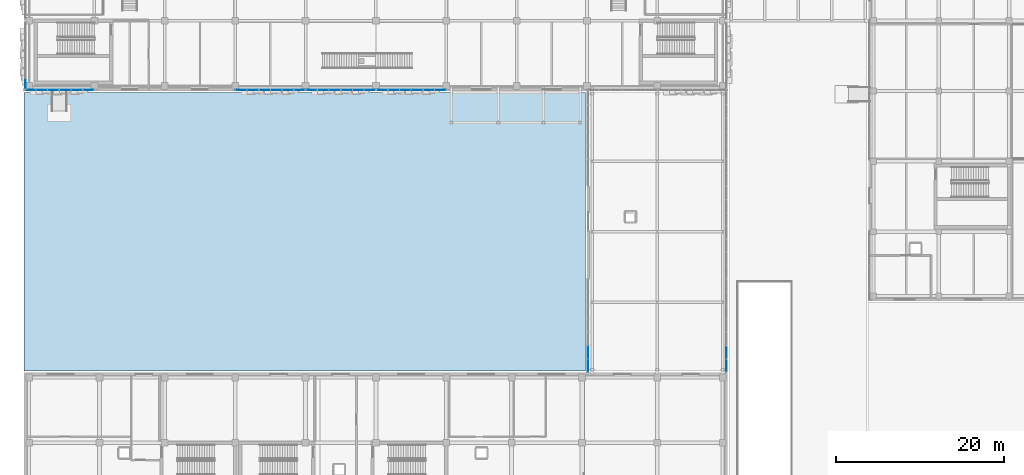
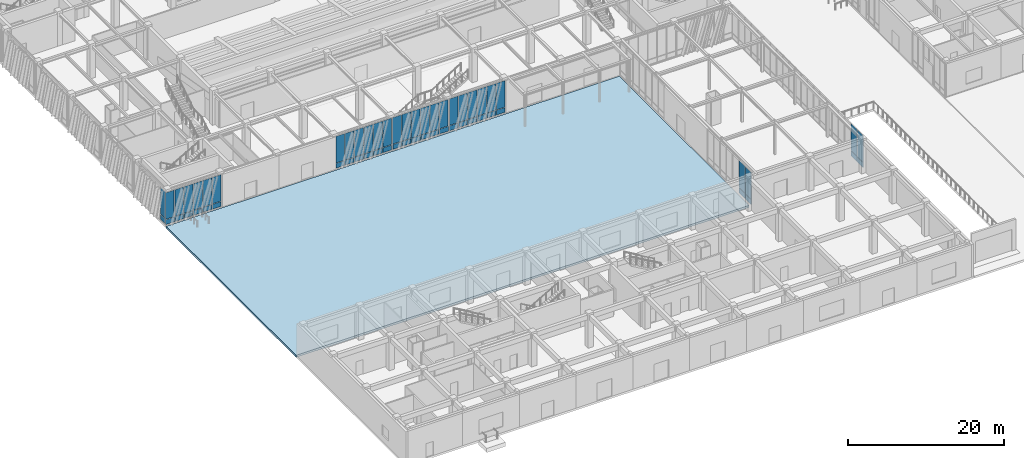
# One storey, part 78 of 122: 58 plates, 1 slab, 7 elements without a shape of their own.
"""IFC4 building model written with IfcOpenShell, lengths in metres."""

from ifc_helpers import new_model, si_unit, direction, frame, origin, origin_2d, place, context, subcontext, project, spatial, polyline, rectangle, outline, extrude, material, layer, layer_set, type_object, element, aggregate, save


model = new_model("IFC4")

# Units and contexts
model_context = context("Model", 3, precision=1e-05, world=origin(), true_north=direction((0.0, 1.0)))
body_context = subcontext(model_context, "Body", "Model", "MODEL_VIEW")
ifc_project = project(units=[si_unit("LENGTHUNIT", "METRE"), si_unit("AREAUNIT", "SQUARE_METRE"), si_unit("VOLUMEUNIT", "CUBIC_METRE"), si_unit("PLANEANGLEUNIT", "RADIAN"), si_unit("MASSUNIT", "GRAM", prefix="KILO")], contexts=[model_context])

# Site, building, storey
site_placement = place(None, origin())
site = spatial("IfcSite", under=ifc_project, at=site_placement, CompositionType="ELEMENT")
building_placement = place(site_placement, origin())
building = spatial("IfcBuilding", under=site, at=building_placement, Name="Zayran Congress Hotel", CompositionType="ELEMENT")
storey_placement = place(building_placement, origin())
storey = spatial("IfcBuildingStorey", under=building, at=storey_placement, Name="L00", CompositionType="ELEMENT", Elevation=0.0)

# Slab
ifc_material_1 = material(Name="Concrete C32/40", Category="concrete")
ifc_layer_1 = layer(ifc_material_1, 0.320068359375)
ifc_layer_set_1 = layer_set([ifc_layer_1], Name="Concrete C32/40")
slab_type = type_object("IfcSlabType", Name="SL-PD-320", PredefinedType="FLOOR", material=ifc_layer_set_1)
slab_placement = place(storey_placement, frame((0.0, 0.0, -0.320068359375)))
element("IfcSlab", 1, at=slab_placement, inside=storey, type_object=slab_type, Name="Outdoor Central Forecourt Grade Paving Slab", PredefinedType="BASESLAB", context=body_context, shape_type="SweptSolid", body=[
    extrude(outline(polyline([(8.39990234375, 34.14990234375), (75.449951171875, 34.14990234375), (75.449951171875, 67.449951171875), (8.39990234375, 67.449951171875), (8.39990234375, 34.14990234375)])), origin(), (0.0, 0.0, 1.0), 0.320068359375),
])

# Curtain wall, plates
ifc_material_2 = material(Name="Anodised aluminium and low-E insulated glass", Category="aluminium")
ifc_layer_2 = layer(ifc_material_2, 0.179931640625)
ifc_layer_set_2 = layer_set([ifc_layer_2], Name="Anodised aluminium and low-E insulated glass")
curtain_wall_type_1 = type_object("IfcCurtainWallType", Name="CW-V1S-L00-CW-11-8380-5080", PredefinedType="USERDEFINED", material=ifc_layer_set_2)
curtain_wall_1_placement = place(storey_placement, origin())
curtain_wall_1 = element("IfcCurtainWall", 2, at=curtain_wall_1_placement, inside=storey, type_object=curtain_wall_type_1, Name="CW-V1S-L00-0", ObjectType="CURTAIN WALL", PredefinedType="USERDEFINED")
ifc_layer_3 = layer(ifc_material_2, 0.028076171875)
ifc_layer_set_3 = layer_set([ifc_layer_3], Name="Anodised aluminium and low-E insulated glass")
plate_type_1 = type_object("IfcPlateType", Name="CWP-GL-1277-4150", PredefinedType="CURTAIN_PANEL", material=ifc_layer_set_3)
plate_1_placement = place(storey_placement, frame((9.12841796875, 67.75, 0.8701171875), z_axis=(0.0, 0.0, 1.0), x_axis=(1.0, 0.0, 0.0)))
plate_1 = element("IfcPlate", 3, at=plate_1_placement, type_object=plate_type_1, Name="CW-11 Glazed Panel 1", PredefinedType="CURTAIN_PANEL", context=body_context, shape_type="SweptSolid", body=[
    extrude(rectangle(XDim=1.276611328125, YDim=0.028076171875, at=origin_2d()), origin(), (0.0, 0.0, 1.0), 4.14990234375),
])
plate_2_placement = place(storey_placement, frame((10.5048828125, 67.75, 0.8701171875), z_axis=(0.0, 0.0, 1.0), x_axis=(1.0, 0.0, 0.0)))
plate_2 = element("IfcPlate", 4, at=plate_2_placement, type_object=plate_type_1, Name="CW-11 Glazed Panel 2", PredefinedType="CURTAIN_PANEL", context=body_context, shape_type="SweptSolid", body=[
    extrude(rectangle(XDim=1.316650390625, YDim=0.028076171875, at=origin_2d()), origin(), (0.0, 0.0, 1.0), 4.14990234375),
])
plate_3_placement = place(storey_placement, frame((11.901611328125, 67.75, 0.8701171875), z_axis=(0.0, 0.0, 1.0), x_axis=(1.0, 0.0, 0.0)))
plate_3 = element("IfcPlate", 5, at=plate_3_placement, type_object=plate_type_1, Name="CW-11 Glazed Panel 3", PredefinedType="CURTAIN_PANEL", context=body_context, shape_type="SweptSolid", body=[
    extrude(rectangle(XDim=1.316650390625, YDim=0.028076171875, at=origin_2d()), origin(), (0.0, 0.0, 1.0), 4.14990234375),
])
plate_4_placement = place(storey_placement, frame((13.29833984375, 67.75, 0.8701171875), z_axis=(0.0, 0.0, 1.0), x_axis=(1.0, 0.0, 0.0)))
plate_4 = element("IfcPlate", 6, at=plate_4_placement, type_object=plate_type_1, Name="CW-11 Glazed Panel 4", PredefinedType="CURTAIN_PANEL", context=body_context, shape_type="SweptSolid", body=[
    extrude(rectangle(XDim=1.316650390625, YDim=0.028076171875, at=origin_2d()), origin(), (0.0, 0.0, 1.0), 4.14990234375),
])
plate_5_placement = place(storey_placement, frame((14.695068359375, 67.75, 0.8701171875), z_axis=(0.0, 0.0, 1.0), x_axis=(1.0, 0.0, 0.0)))
plate_5 = element("IfcPlate", 7, at=plate_5_placement, type_object=plate_type_1, Name="CW-11 Glazed Panel 5", PredefinedType="CURTAIN_PANEL", context=body_context, shape_type="SweptSolid", body=[
    extrude(rectangle(XDim=1.316650390625, YDim=0.028076171875, at=origin_2d()), origin(), (0.0, 0.0, 1.0), 4.14990234375),
])
plate_6_placement = place(storey_placement, frame((16.07177734375, 67.75, 0.8701171875), z_axis=(0.0, 0.0, 1.0), x_axis=(1.0, 0.0, 0.0)))
plate_6 = element("IfcPlate", 8, at=plate_6_placement, type_object=plate_type_1, Name="CW-11 Glazed Panel 6", PredefinedType="CURTAIN_PANEL", context=body_context, shape_type="SweptSolid", body=[
    extrude(rectangle(XDim=1.276611328125, YDim=0.028076171875, at=origin_2d()), origin(), (0.0, 0.0, 1.0), 4.14990234375),
])

curtain_wall_2_placement = place(storey_placement, origin())
curtain_wall_2 = element("IfcCurtainWall", 9, at=curtain_wall_2_placement, inside=storey, type_object=curtain_wall_type_1, Name="CW-V1S-L00-3", ObjectType="CURTAIN WALL", PredefinedType="USERDEFINED")
plate_7_placement = place(storey_placement, frame((34.328369140625, 67.75, 0.8701171875), z_axis=(0.0, 0.0, 1.0), x_axis=(1.0, 0.0, 0.0)))
plate_7 = element("IfcPlate", 10, at=plate_7_placement, type_object=plate_type_1, Name="CW-11 Glazed Panel 1", PredefinedType="CURTAIN_PANEL", context=body_context, shape_type="SweptSolid", body=[
    extrude(rectangle(XDim=1.276611328125, YDim=0.028076171875, at=origin_2d()), origin(), (0.0, 0.0, 1.0), 4.14990234375),
])
plate_8_placement = place(storey_placement, frame((35.705078125, 67.75, 0.8701171875), z_axis=(0.0, 0.0, 1.0), x_axis=(1.0, 0.0, 0.0)))
plate_8 = element("IfcPlate", 11, at=plate_8_placement, type_object=plate_type_1, Name="CW-11 Glazed Panel 2", PredefinedType="CURTAIN_PANEL", context=body_context, shape_type="SweptSolid", body=[
    extrude(rectangle(XDim=1.316650390625, YDim=0.028076171875, at=origin_2d()), origin(), (0.0, 0.0, 1.0), 4.14990234375),
])
plate_9_placement = place(storey_placement, frame((37.101806640625, 67.75, 0.8701171875), z_axis=(0.0, 0.0, 1.0), x_axis=(1.0, 0.0, 0.0)))
plate_9 = element("IfcPlate", 12, at=plate_9_placement, type_object=plate_type_1, Name="CW-11 Glazed Panel 3", PredefinedType="CURTAIN_PANEL", context=body_context, shape_type="SweptSolid", body=[
    extrude(rectangle(XDim=1.316650390625, YDim=0.028076171875, at=origin_2d()), origin(), (0.0, 0.0, 1.0), 4.14990234375),
])
plate_10_placement = place(storey_placement, frame((38.498291015625, 67.75, 0.8701171875), z_axis=(0.0, 0.0, 1.0), x_axis=(1.0, 0.0, 0.0)))
plate_10 = element("IfcPlate", 13, at=plate_10_placement, type_object=plate_type_1, Name="CW-11 Glazed Panel 4", PredefinedType="CURTAIN_PANEL", context=body_context, shape_type="SweptSolid", body=[
    extrude(rectangle(XDim=1.316650390625, YDim=0.028076171875, at=origin_2d()), origin(), (0.0, 0.0, 1.0), 4.14990234375),
])
plate_11_placement = place(storey_placement, frame((39.89501953125, 67.75, 0.8701171875), z_axis=(0.0, 0.0, 1.0), x_axis=(1.0, 0.0, 0.0)))
plate_11 = element("IfcPlate", 14, at=plate_11_placement, type_object=plate_type_1, Name="CW-11 Glazed Panel 5", PredefinedType="CURTAIN_PANEL", context=body_context, shape_type="SweptSolid", body=[
    extrude(rectangle(XDim=1.316650390625, YDim=0.028076171875, at=origin_2d()), origin(), (0.0, 0.0, 1.0), 4.14990234375),
])
plate_12_placement = place(storey_placement, frame((41.271728515625, 67.75, 0.8701171875), z_axis=(0.0, 0.0, 1.0), x_axis=(1.0, 0.0, 0.0)))
plate_12 = element("IfcPlate", 15, at=plate_12_placement, type_object=plate_type_1, Name="CW-11 Glazed Panel 6", PredefinedType="CURTAIN_PANEL", context=body_context, shape_type="SweptSolid", body=[
    extrude(rectangle(XDim=1.276611328125, YDim=0.028076171875, at=origin_2d()), origin(), (0.0, 0.0, 1.0), 4.14990234375),
])

ifc_layer_4 = layer(ifc_material_2, 0.179931640625)
ifc_layer_set_4 = layer_set([ifc_layer_4], Name="Anodised aluminium and low-E insulated glass")
curtain_wall_type_2 = type_object("IfcCurtainWallType", Name="CW-V1S-L00-CW-12-8380-5080", PredefinedType="USERDEFINED", material=ifc_layer_set_4)
curtain_wall_3_placement = place(storey_placement, origin())
curtain_wall_3 = element("IfcCurtainWall", 16, at=curtain_wall_3_placement, inside=storey, type_object=curtain_wall_type_2, Name="CW-V1S-L00-4", ObjectType="CURTAIN WALL", PredefinedType="USERDEFINED")
plate_13_placement = place(storey_placement, frame((42.728271484375, 67.75, 0.8701171875), z_axis=(0.0, 0.0, 1.0), x_axis=(1.0, 0.0, 0.0)))
plate_13 = element("IfcPlate", 17, at=plate_13_placement, type_object=plate_type_1, Name="CW-12 Glazed Panel 1", PredefinedType="CURTAIN_PANEL", context=body_context, shape_type="SweptSolid", body=[
    extrude(rectangle(XDim=1.276611328125, YDim=0.028076171875, at=origin_2d()), origin(), (0.0, 0.0, 1.0), 4.14990234375),
])
plate_14_placement = place(storey_placement, frame((44.10498046875, 67.75, 0.8701171875), z_axis=(0.0, 0.0, 1.0), x_axis=(1.0, 0.0, 0.0)))
plate_14 = element("IfcPlate", 18, at=plate_14_placement, type_object=plate_type_1, Name="CW-12 Glazed Panel 2", PredefinedType="CURTAIN_PANEL", context=body_context, shape_type="SweptSolid", body=[
    extrude(rectangle(XDim=1.316650390625, YDim=0.028076171875, at=origin_2d()), origin(), (0.0, 0.0, 1.0), 4.14990234375),
])
plate_15_placement = place(storey_placement, frame((45.501708984375, 67.75, 0.8701171875), z_axis=(0.0, 0.0, 1.0), x_axis=(1.0, 0.0, 0.0)))
plate_15 = element("IfcPlate", 19, at=plate_15_placement, type_object=plate_type_1, Name="CW-12 Glazed Panel 3", PredefinedType="CURTAIN_PANEL", context=body_context, shape_type="SweptSolid", body=[
    extrude(rectangle(XDim=1.316650390625, YDim=0.028076171875, at=origin_2d()), origin(), (0.0, 0.0, 1.0), 4.14990234375),
])
plate_16_placement = place(storey_placement, frame((46.898193359375, 67.75, 0.8701171875), z_axis=(0.0, 0.0, 1.0), x_axis=(1.0, 0.0, 0.0)))
plate_16 = element("IfcPlate", 20, at=plate_16_placement, type_object=plate_type_1, Name="CW-12 Glazed Panel 4", PredefinedType="CURTAIN_PANEL", context=body_context, shape_type="SweptSolid", body=[
    extrude(rectangle(XDim=1.316650390625, YDim=0.028076171875, at=origin_2d()), origin(), (0.0, 0.0, 1.0), 4.14990234375),
])
plate_17_placement = place(storey_placement, frame((48.294921875, 67.75, 0.8701171875), z_axis=(0.0, 0.0, 1.0), x_axis=(1.0, 0.0, 0.0)))
plate_17 = element("IfcPlate", 21, at=plate_17_placement, type_object=plate_type_1, Name="CW-12 Glazed Panel 5", PredefinedType="CURTAIN_PANEL", context=body_context, shape_type="SweptSolid", body=[
    extrude(rectangle(XDim=1.316650390625, YDim=0.028076171875, at=origin_2d()), origin(), (0.0, 0.0, 1.0), 4.14990234375),
])
plate_18_placement = place(storey_placement, frame((49.671630859375, 67.75, 0.8701171875), z_axis=(0.0, 0.0, 1.0), x_axis=(1.0, 0.0, 0.0)))
plate_18 = element("IfcPlate", 22, at=plate_18_placement, type_object=plate_type_1, Name="CW-12 Glazed Panel 6", PredefinedType="CURTAIN_PANEL", context=body_context, shape_type="SweptSolid", body=[
    extrude(rectangle(XDim=1.276611328125, YDim=0.028076171875, at=origin_2d()), origin(), (0.0, 0.0, 1.0), 4.14990234375),
])

ifc_layer_5 = layer(ifc_material_2, 0.179931640625)
ifc_layer_set_5 = layer_set([ifc_layer_5], Name="Anodised aluminium and low-E insulated glass")
curtain_wall_type_3 = type_object("IfcCurtainWallType", Name="CW-V1S-L00-CW-13-8380-5080", PredefinedType="USERDEFINED", material=ifc_layer_set_5)
curtain_wall_4_placement = place(storey_placement, origin())
curtain_wall_4 = element("IfcCurtainWall", 23, at=curtain_wall_4_placement, inside=storey, type_object=curtain_wall_type_3, Name="CW-V1S-L00-5", ObjectType="CURTAIN WALL", PredefinedType="USERDEFINED")
plate_19_placement = place(storey_placement, frame((51.12841796875, 67.75, 0.8701171875), z_axis=(0.0, 0.0, 1.0), x_axis=(1.0, 0.0, 0.0)))
plate_19 = element("IfcPlate", 24, at=plate_19_placement, type_object=plate_type_1, Name="CW-13 Glazed Panel 1", PredefinedType="CURTAIN_PANEL", context=body_context, shape_type="SweptSolid", body=[
    extrude(rectangle(XDim=1.276611328125, YDim=0.028076171875, at=origin_2d()), origin(), (0.0, 0.0, 1.0), 4.14990234375),
])
plate_20_placement = place(storey_placement, frame((52.5048828125, 67.75, 0.8701171875), z_axis=(0.0, 0.0, 1.0), x_axis=(1.0, 0.0, 0.0)))
plate_20 = element("IfcPlate", 25, at=plate_20_placement, type_object=plate_type_1, Name="CW-13 Glazed Panel 2", PredefinedType="CURTAIN_PANEL", context=body_context, shape_type="SweptSolid", body=[
    extrude(rectangle(XDim=1.316650390625, YDim=0.028076171875, at=origin_2d()), origin(), (0.0, 0.0, 1.0), 4.14990234375),
])
plate_21_placement = place(storey_placement, frame((53.901611328125, 67.75, 0.8701171875), z_axis=(0.0, 0.0, 1.0), x_axis=(1.0, 0.0, 0.0)))
plate_21 = element("IfcPlate", 26, at=plate_21_placement, type_object=plate_type_1, Name="CW-13 Glazed Panel 3", PredefinedType="CURTAIN_PANEL", context=body_context, shape_type="SweptSolid", body=[
    extrude(rectangle(XDim=1.316650390625, YDim=0.028076171875, at=origin_2d()), origin(), (0.0, 0.0, 1.0), 4.14990234375),
])
plate_22_placement = place(storey_placement, frame((55.29833984375, 67.75, 0.8701171875), z_axis=(0.0, 0.0, 1.0), x_axis=(1.0, 0.0, 0.0)))
plate_22 = element("IfcPlate", 27, at=plate_22_placement, type_object=plate_type_1, Name="CW-13 Glazed Panel 4", PredefinedType="CURTAIN_PANEL", context=body_context, shape_type="SweptSolid", body=[
    extrude(rectangle(XDim=1.316650390625, YDim=0.028076171875, at=origin_2d()), origin(), (0.0, 0.0, 1.0), 4.14990234375),
])
plate_23_placement = place(storey_placement, frame((56.695068359375, 67.75, 0.8701171875), z_axis=(0.0, 0.0, 1.0), x_axis=(1.0, 0.0, 0.0)))
plate_23 = element("IfcPlate", 28, at=plate_23_placement, type_object=plate_type_1, Name="CW-13 Glazed Panel 5", PredefinedType="CURTAIN_PANEL", context=body_context, shape_type="SweptSolid", body=[
    extrude(rectangle(XDim=1.316650390625, YDim=0.028076171875, at=origin_2d()), origin(), (0.0, 0.0, 1.0), 4.14990234375),
])
plate_24_placement = place(storey_placement, frame((58.07177734375, 67.75, 0.8701171875), z_axis=(0.0, 0.0, 1.0), x_axis=(1.0, 0.0, 0.0)))
plate_24 = element("IfcPlate", 29, at=plate_24_placement, type_object=plate_type_1, Name="CW-13 Glazed Panel 6", PredefinedType="CURTAIN_PANEL", context=body_context, shape_type="SweptSolid", body=[
    extrude(rectangle(XDim=1.276611328125, YDim=0.028076171875, at=origin_2d()), origin(), (0.0, 0.0, 1.0), 4.14990234375),
])

# Plate
ifc_material_3 = material(Name="Insulated warm bronze aluminium spandrel panel", Category="aluminium")
ifc_layer_6 = layer(ifc_material_3, 0.06005859375)
ifc_layer_set_6 = layer_set([ifc_layer_6], Name="Insulated warm bronze aluminium spandrel panel")
plate_type_2 = type_object("IfcPlateType", Name="CWP-SP-1277-750", PredefinedType="CURTAIN_PANEL", material=ifc_layer_set_6)
plate_25_placement = place(storey_placement, frame((9.12841796875, 67.75, 0.06005859375), z_axis=(0.0, 0.0, 1.0), x_axis=(1.0, 0.0, 0.0)))
plate_25 = element("IfcPlate", 30, at=plate_25_placement, type_object=plate_type_2, Name="CW-11 Spandrel Panel 1", PredefinedType="CURTAIN_PANEL", context=body_context, shape_type="SweptSolid", body=[
    extrude(rectangle(XDim=1.276611328125, YDim=0.06005859375, at=origin_2d()), origin(), (0.0, 0.0, 1.0), 0.75),
])

plate_26_placement = place(storey_placement, frame((10.5048828125, 67.75, 0.06005859375), z_axis=(0.0, 0.0, 1.0), x_axis=(1.0, 0.0, 0.0)))
plate_26 = element("IfcPlate", 31, at=plate_26_placement, type_object=plate_type_2, Name="CW-11 Spandrel Panel 2", PredefinedType="CURTAIN_PANEL", context=body_context, shape_type="SweptSolid", body=[
    extrude(rectangle(XDim=1.316650390625, YDim=0.06005859375, at=origin_2d()), origin(), (0.0, 0.0, 1.0), 0.75),
])

plate_27_placement = place(storey_placement, frame((11.901611328125, 67.75, 0.06005859375), z_axis=(0.0, 0.0, 1.0), x_axis=(1.0, 0.0, 0.0)))
plate_27 = element("IfcPlate", 32, at=plate_27_placement, type_object=plate_type_2, Name="CW-11 Spandrel Panel 3", PredefinedType="CURTAIN_PANEL", context=body_context, shape_type="SweptSolid", body=[
    extrude(rectangle(XDim=1.316650390625, YDim=0.06005859375, at=origin_2d()), origin(), (0.0, 0.0, 1.0), 0.75),
])

plate_28_placement = place(storey_placement, frame((13.29833984375, 67.75, 0.06005859375), z_axis=(0.0, 0.0, 1.0), x_axis=(1.0, 0.0, 0.0)))
plate_28 = element("IfcPlate", 33, at=plate_28_placement, type_object=plate_type_2, Name="CW-11 Spandrel Panel 4", PredefinedType="CURTAIN_PANEL", context=body_context, shape_type="SweptSolid", body=[
    extrude(rectangle(XDim=1.316650390625, YDim=0.06005859375, at=origin_2d()), origin(), (0.0, 0.0, 1.0), 0.75),
])

plate_29_placement = place(storey_placement, frame((14.695068359375, 67.75, 0.06005859375), z_axis=(0.0, 0.0, 1.0), x_axis=(1.0, 0.0, 0.0)))
plate_29 = element("IfcPlate", 34, at=plate_29_placement, type_object=plate_type_2, Name="CW-11 Spandrel Panel 5", PredefinedType="CURTAIN_PANEL", context=body_context, shape_type="SweptSolid", body=[
    extrude(rectangle(XDim=1.316650390625, YDim=0.06005859375, at=origin_2d()), origin(), (0.0, 0.0, 1.0), 0.75),
])

plate_30_placement = place(storey_placement, frame((16.07177734375, 67.75, 0.06005859375), z_axis=(0.0, 0.0, 1.0), x_axis=(1.0, 0.0, 0.0)))
plate_30 = element("IfcPlate", 35, at=plate_30_placement, type_object=plate_type_2, Name="CW-11 Spandrel Panel 6", PredefinedType="CURTAIN_PANEL", context=body_context, shape_type="SweptSolid", body=[
    extrude(rectangle(XDim=1.276611328125, YDim=0.06005859375, at=origin_2d()), origin(), (0.0, 0.0, 1.0), 0.75),
])

aggregate(curtain_wall_1, [plate_25, plate_1, plate_26, plate_2, plate_27, plate_3, plate_28, plate_4, plate_29, plate_5, plate_30, plate_6])

plate_31_placement = place(storey_placement, frame((34.328369140625, 67.75, 0.06005859375), z_axis=(0.0, 0.0, 1.0), x_axis=(1.0, 0.0, 0.0)))
plate_31 = element("IfcPlate", 36, at=plate_31_placement, type_object=plate_type_2, Name="CW-11 Spandrel Panel 1", PredefinedType="CURTAIN_PANEL", context=body_context, shape_type="SweptSolid", body=[
    extrude(rectangle(XDim=1.276611328125, YDim=0.06005859375, at=origin_2d()), origin(), (0.0, 0.0, 1.0), 0.75),
])

plate_32_placement = place(storey_placement, frame((35.705078125, 67.75, 0.06005859375), z_axis=(0.0, 0.0, 1.0), x_axis=(1.0, 0.0, 0.0)))
plate_32 = element("IfcPlate", 37, at=plate_32_placement, type_object=plate_type_2, Name="CW-11 Spandrel Panel 2", PredefinedType="CURTAIN_PANEL", context=body_context, shape_type="SweptSolid", body=[
    extrude(rectangle(XDim=1.316650390625, YDim=0.06005859375, at=origin_2d()), origin(), (0.0, 0.0, 1.0), 0.75),
])

plate_33_placement = place(storey_placement, frame((37.101806640625, 67.75, 0.06005859375), z_axis=(0.0, 0.0, 1.0), x_axis=(1.0, 0.0, 0.0)))
plate_33 = element("IfcPlate", 38, at=plate_33_placement, type_object=plate_type_2, Name="CW-11 Spandrel Panel 3", PredefinedType="CURTAIN_PANEL", context=body_context, shape_type="SweptSolid", body=[
    extrude(rectangle(XDim=1.316650390625, YDim=0.06005859375, at=origin_2d()), origin(), (0.0, 0.0, 1.0), 0.75),
])

plate_34_placement = place(storey_placement, frame((38.498291015625, 67.75, 0.06005859375), z_axis=(0.0, 0.0, 1.0), x_axis=(1.0, 0.0, 0.0)))
plate_34 = element("IfcPlate", 39, at=plate_34_placement, type_object=plate_type_2, Name="CW-11 Spandrel Panel 4", PredefinedType="CURTAIN_PANEL", context=body_context, shape_type="SweptSolid", body=[
    extrude(rectangle(XDim=1.316650390625, YDim=0.06005859375, at=origin_2d()), origin(), (0.0, 0.0, 1.0), 0.75),
])

plate_35_placement = place(storey_placement, frame((39.89501953125, 67.75, 0.06005859375), z_axis=(0.0, 0.0, 1.0), x_axis=(1.0, 0.0, 0.0)))
plate_35 = element("IfcPlate", 40, at=plate_35_placement, type_object=plate_type_2, Name="CW-11 Spandrel Panel 5", PredefinedType="CURTAIN_PANEL", context=body_context, shape_type="SweptSolid", body=[
    extrude(rectangle(XDim=1.316650390625, YDim=0.06005859375, at=origin_2d()), origin(), (0.0, 0.0, 1.0), 0.75),
])

plate_36_placement = place(storey_placement, frame((41.271728515625, 67.75, 0.06005859375), z_axis=(0.0, 0.0, 1.0), x_axis=(1.0, 0.0, 0.0)))
plate_36 = element("IfcPlate", 41, at=plate_36_placement, type_object=plate_type_2, Name="CW-11 Spandrel Panel 6", PredefinedType="CURTAIN_PANEL", context=body_context, shape_type="SweptSolid", body=[
    extrude(rectangle(XDim=1.276611328125, YDim=0.06005859375, at=origin_2d()), origin(), (0.0, 0.0, 1.0), 0.75),
])

aggregate(curtain_wall_2, [plate_31, plate_7, plate_32, plate_8, plate_33, plate_9, plate_34, plate_10, plate_35, plate_11, plate_36, plate_12])

plate_37_placement = place(storey_placement, frame((42.728271484375, 67.75, 0.06005859375), z_axis=(0.0, 0.0, 1.0), x_axis=(1.0, 0.0, 0.0)))
plate_37 = element("IfcPlate", 42, at=plate_37_placement, type_object=plate_type_2, Name="CW-12 Spandrel Panel 1", PredefinedType="CURTAIN_PANEL", context=body_context, shape_type="SweptSolid", body=[
    extrude(rectangle(XDim=1.276611328125, YDim=0.06005859375, at=origin_2d()), origin(), (0.0, 0.0, 1.0), 0.75),
])

plate_38_placement = place(storey_placement, frame((44.10498046875, 67.75, 0.06005859375), z_axis=(0.0, 0.0, 1.0), x_axis=(1.0, 0.0, 0.0)))
plate_38 = element("IfcPlate", 43, at=plate_38_placement, type_object=plate_type_2, Name="CW-12 Spandrel Panel 2", PredefinedType="CURTAIN_PANEL", context=body_context, shape_type="SweptSolid", body=[
    extrude(rectangle(XDim=1.316650390625, YDim=0.06005859375, at=origin_2d()), origin(), (0.0, 0.0, 1.0), 0.75),
])

plate_39_placement = place(storey_placement, frame((45.501708984375, 67.75, 0.06005859375), z_axis=(0.0, 0.0, 1.0), x_axis=(1.0, 0.0, 0.0)))
plate_39 = element("IfcPlate", 44, at=plate_39_placement, type_object=plate_type_2, Name="CW-12 Spandrel Panel 3", PredefinedType="CURTAIN_PANEL", context=body_context, shape_type="SweptSolid", body=[
    extrude(rectangle(XDim=1.316650390625, YDim=0.06005859375, at=origin_2d()), origin(), (0.0, 0.0, 1.0), 0.75),
])

plate_40_placement = place(storey_placement, frame((46.898193359375, 67.75, 0.06005859375), z_axis=(0.0, 0.0, 1.0), x_axis=(1.0, 0.0, 0.0)))
plate_40 = element("IfcPlate", 45, at=plate_40_placement, type_object=plate_type_2, Name="CW-12 Spandrel Panel 4", PredefinedType="CURTAIN_PANEL", context=body_context, shape_type="SweptSolid", body=[
    extrude(rectangle(XDim=1.316650390625, YDim=0.06005859375, at=origin_2d()), origin(), (0.0, 0.0, 1.0), 0.75),
])

plate_41_placement = place(storey_placement, frame((48.294921875, 67.75, 0.06005859375), z_axis=(0.0, 0.0, 1.0), x_axis=(1.0, 0.0, 0.0)))
plate_41 = element("IfcPlate", 46, at=plate_41_placement, type_object=plate_type_2, Name="CW-12 Spandrel Panel 5", PredefinedType="CURTAIN_PANEL", context=body_context, shape_type="SweptSolid", body=[
    extrude(rectangle(XDim=1.316650390625, YDim=0.06005859375, at=origin_2d()), origin(), (0.0, 0.0, 1.0), 0.75),
])

plate_42_placement = place(storey_placement, frame((49.671630859375, 67.75, 0.06005859375), z_axis=(0.0, 0.0, 1.0), x_axis=(1.0, 0.0, 0.0)))
plate_42 = element("IfcPlate", 47, at=plate_42_placement, type_object=plate_type_2, Name="CW-12 Spandrel Panel 6", PredefinedType="CURTAIN_PANEL", context=body_context, shape_type="SweptSolid", body=[
    extrude(rectangle(XDim=1.276611328125, YDim=0.06005859375, at=origin_2d()), origin(), (0.0, 0.0, 1.0), 0.75),
])

aggregate(curtain_wall_3, [plate_37, plate_13, plate_38, plate_14, plate_39, plate_15, plate_40, plate_16, plate_41, plate_17, plate_42, plate_18])

plate_43_placement = place(storey_placement, frame((51.12841796875, 67.75, 0.06005859375), z_axis=(0.0, 0.0, 1.0), x_axis=(1.0, 0.0, 0.0)))
plate_43 = element("IfcPlate", 48, at=plate_43_placement, type_object=plate_type_2, Name="CW-13 Spandrel Panel 1", PredefinedType="CURTAIN_PANEL", context=body_context, shape_type="SweptSolid", body=[
    extrude(rectangle(XDim=1.276611328125, YDim=0.06005859375, at=origin_2d()), origin(), (0.0, 0.0, 1.0), 0.75),
])

plate_44_placement = place(storey_placement, frame((52.5048828125, 67.75, 0.06005859375), z_axis=(0.0, 0.0, 1.0), x_axis=(1.0, 0.0, 0.0)))
plate_44 = element("IfcPlate", 49, at=plate_44_placement, type_object=plate_type_2, Name="CW-13 Spandrel Panel 2", PredefinedType="CURTAIN_PANEL", context=body_context, shape_type="SweptSolid", body=[
    extrude(rectangle(XDim=1.316650390625, YDim=0.06005859375, at=origin_2d()), origin(), (0.0, 0.0, 1.0), 0.75),
])

plate_45_placement = place(storey_placement, frame((53.901611328125, 67.75, 0.06005859375), z_axis=(0.0, 0.0, 1.0), x_axis=(1.0, 0.0, 0.0)))
plate_45 = element("IfcPlate", 50, at=plate_45_placement, type_object=plate_type_2, Name="CW-13 Spandrel Panel 3", PredefinedType="CURTAIN_PANEL", context=body_context, shape_type="SweptSolid", body=[
    extrude(rectangle(XDim=1.316650390625, YDim=0.06005859375, at=origin_2d()), origin(), (0.0, 0.0, 1.0), 0.75),
])

plate_46_placement = place(storey_placement, frame((55.29833984375, 67.75, 0.06005859375), z_axis=(0.0, 0.0, 1.0), x_axis=(1.0, 0.0, 0.0)))
plate_46 = element("IfcPlate", 51, at=plate_46_placement, type_object=plate_type_2, Name="CW-13 Spandrel Panel 4", PredefinedType="CURTAIN_PANEL", context=body_context, shape_type="SweptSolid", body=[
    extrude(rectangle(XDim=1.316650390625, YDim=0.06005859375, at=origin_2d()), origin(), (0.0, 0.0, 1.0), 0.75),
])

plate_47_placement = place(storey_placement, frame((56.695068359375, 67.75, 0.06005859375), z_axis=(0.0, 0.0, 1.0), x_axis=(1.0, 0.0, 0.0)))
plate_47 = element("IfcPlate", 52, at=plate_47_placement, type_object=plate_type_2, Name="CW-13 Spandrel Panel 5", PredefinedType="CURTAIN_PANEL", context=body_context, shape_type="SweptSolid", body=[
    extrude(rectangle(XDim=1.316650390625, YDim=0.06005859375, at=origin_2d()), origin(), (0.0, 0.0, 1.0), 0.75),
])

plate_48_placement = place(storey_placement, frame((58.07177734375, 67.75, 0.06005859375), z_axis=(0.0, 0.0, 1.0), x_axis=(1.0, 0.0, 0.0)))
plate_48 = element("IfcPlate", 53, at=plate_48_placement, type_object=plate_type_2, Name="CW-13 Spandrel Panel 6", PredefinedType="CURTAIN_PANEL", context=body_context, shape_type="SweptSolid", body=[
    extrude(rectangle(XDim=1.276611328125, YDim=0.06005859375, at=origin_2d()), origin(), (0.0, 0.0, 1.0), 0.75),
])

aggregate(curtain_wall_4, [plate_43, plate_19, plate_44, plate_20, plate_45, plate_21, plate_46, plate_22, plate_47, plate_23, plate_48, plate_24])

# Curtain wall, plates
ifc_layer_7 = layer(ifc_material_2, 0.179931640625)
ifc_layer_set_7 = layer_set([ifc_layer_7], Name="Anodised aluminium and low-E insulated glass")
curtain_wall_type_4 = type_object("IfcCurtainWallType", Name="CW-V1W-L00-CW-31-8040-5080", PredefinedType="USERDEFINED", material=ifc_layer_set_7)
curtain_wall_5_placement = place(storey_placement, origin())
curtain_wall_5 = element("IfcCurtainWall", 54, at=curtain_wall_5_placement, inside=storey, type_object=curtain_wall_type_4, Name="CW-V1W-L00-0", ObjectType="CURTAIN WALL", PredefinedType="USERDEFINED")
ifc_layer_8 = layer(ifc_material_2, 0.028076171875)
ifc_layer_set_8 = layer_set([ifc_layer_8], Name="Anodised aluminium and low-E insulated glass")
plate_type_3 = type_object("IfcPlateType", Name="CWP-GL-1220-4150", PredefinedType="CURTAIN_PANEL", material=ifc_layer_set_8)
plate_49_placement = place(storey_placement, frame((8.550048828125, 68.469970703125, 0.8701171875), z_axis=(0.0, 0.0, 1.0), x_axis=(0.0, 1.0, 0.0)))
plate_49 = element("IfcPlate", 55, at=plate_49_placement, type_object=plate_type_3, Name="CW-31 Glazed Panel 6", PredefinedType="CURTAIN_PANEL", context=body_context, shape_type="SweptSolid", body=[
    extrude(rectangle(XDim=1.219970703125, YDim=0.028076171875, at=origin_2d()), origin(), (0.0, 0.0, 1.0), 4.14990234375),
])
ifc_layer_9 = layer(ifc_material_3, 0.06005859375)
ifc_layer_set_9 = layer_set([ifc_layer_9], Name="Insulated warm bronze aluminium spandrel panel")
plate_type_4 = type_object("IfcPlateType", Name="CWP-SP-1220-750", PredefinedType="CURTAIN_PANEL", material=ifc_layer_set_9)
plate_50_placement = place(storey_placement, frame((8.550048828125, 68.469970703125, 0.06005859375), z_axis=(0.0, 0.0, 1.0), x_axis=(0.0, 1.0, 0.0)))
plate_50 = element("IfcPlate", 56, at=plate_50_placement, type_object=plate_type_4, Name="CW-31 Spandrel Panel 6", PredefinedType="CURTAIN_PANEL", context=body_context, shape_type="SweptSolid", body=[
    extrude(rectangle(XDim=1.219970703125, YDim=0.06005859375, at=origin_2d()), origin(), (0.0, 0.0, 1.0), 0.75),
])
aggregate(curtain_wall_5, [plate_50, plate_49])

ifc_layer_10 = layer(ifc_material_2, 0.179931640625)
ifc_layer_set_10 = layer_set([ifc_layer_10], Name="Anodised aluminium and low-E insulated glass")
curtain_wall_type_5 = type_object("IfcCurtainWallType", Name="CW-BR2-L00-CW-BR2-11200-5150", PredefinedType="USERDEFINED", material=ifc_layer_set_10)
curtain_wall_6_placement = place(storey_placement, origin())
curtain_wall_6 = element("IfcCurtainWall", 57, at=curtain_wall_6_placement, inside=storey, type_object=curtain_wall_type_5, Name="CW-BR2W-L00-0", ObjectType="CURTAIN WALL", PredefinedType="USERDEFINED")
ifc_layer_11 = layer(ifc_material_2, 0.028076171875)
ifc_layer_set_11 = layer_set([ifc_layer_11], Name="Anodised aluminium and low-E insulated glass")
plate_type_5 = type_object("IfcPlateType", Name="CWP-GL-1480-4220", PredefinedType="CURTAIN_PANEL", material=ifc_layer_set_11)
plate_51_placement = place(storey_placement, frame((75.719970703125, 36.39990234375, 0.8701171875), z_axis=(0.0, 0.0, 1.0), x_axis=(0.0, 1.0, 0.0)))
plate_51 = element("IfcPlate", 58, at=plate_51_placement, type_object=plate_type_5, Name="CW-BR2 Glazed Panel 6", PredefinedType="CURTAIN_PANEL", context=body_context, shape_type="SweptSolid", body=[
    extrude(rectangle(XDim=1.52001953125, YDim=0.028076171875, at=origin_2d()), origin(), (0.0, 0.0, 1.0), 4.219970703125),
])
plate_52_placement = place(storey_placement, frame((75.719970703125, 34.820068359375, 0.8701171875), z_axis=(0.0, 0.0, 1.0), x_axis=(0.0, 1.0, 0.0)))
plate_52 = element("IfcPlate", 59, at=plate_52_placement, type_object=plate_type_5, Name="CW-BR2 Glazed Panel 7", PredefinedType="CURTAIN_PANEL", context=body_context, shape_type="SweptSolid", body=[
    extrude(rectangle(XDim=1.47998046875, YDim=0.028076171875, at=origin_2d()), origin(), (0.0, 0.0, 1.0), 4.219970703125),
])

curtain_wall_7_placement = place(storey_placement, origin())
curtain_wall_7 = element("IfcCurtainWall", 60, at=curtain_wall_7_placement, inside=storey, type_object=curtain_wall_type_5, Name="CW-BR2E-L00-0", ObjectType="CURTAIN WALL", PredefinedType="USERDEFINED")
plate_53_placement = place(storey_placement, frame((92.280029296875, 34.820068359375, 0.8701171875), z_axis=(0.0, 0.0, 1.0), x_axis=(0.0, 1.0, 0.0)))
plate_53 = element("IfcPlate", 61, at=plate_53_placement, type_object=plate_type_5, Name="CW-BR2 Glazed Panel 1", PredefinedType="CURTAIN_PANEL", context=body_context, shape_type="SweptSolid", body=[
    extrude(rectangle(XDim=1.47998046875, YDim=0.028076171875, at=origin_2d()), origin(), (0.0, 0.0, 1.0), 4.219970703125),
])
plate_54_placement = place(storey_placement, frame((92.280029296875, 36.39990234375, 0.8701171875), z_axis=(0.0, 0.0, 1.0), x_axis=(0.0, 1.0, 0.0)))
plate_54 = element("IfcPlate", 62, at=plate_54_placement, type_object=plate_type_5, Name="CW-BR2 Glazed Panel 2", PredefinedType="CURTAIN_PANEL", context=body_context, shape_type="SweptSolid", body=[
    extrude(rectangle(XDim=1.52001953125, YDim=0.028076171875, at=origin_2d()), origin(), (0.0, 0.0, 1.0), 4.219970703125),
])

# Plate
ifc_layer_12 = layer(ifc_material_3, 0.06005859375)
ifc_layer_set_12 = layer_set([ifc_layer_12], Name="Insulated warm bronze aluminium spandrel panel")
plate_type_6 = type_object("IfcPlateType", Name="CWP-SP-1480-750", PredefinedType="CURTAIN_PANEL", material=ifc_layer_set_12)
plate_55_placement = place(storey_placement, frame((75.719970703125, 36.39990234375, 0.06005859375), z_axis=(0.0, 0.0, 1.0), x_axis=(0.0, 1.0, 0.0)))
plate_55 = element("IfcPlate", 63, at=plate_55_placement, type_object=plate_type_6, Name="CW-BR2 Spandrel Panel 6", PredefinedType="CURTAIN_PANEL", context=body_context, shape_type="SweptSolid", body=[
    extrude(rectangle(XDim=1.52001953125, YDim=0.06005859375, at=origin_2d()), origin(), (0.0, 0.0, 1.0), 0.75),
])

plate_56_placement = place(storey_placement, frame((75.719970703125, 34.820068359375, 0.06005859375), z_axis=(0.0, 0.0, 1.0), x_axis=(0.0, 1.0, 0.0)))
plate_56 = element("IfcPlate", 64, at=plate_56_placement, type_object=plate_type_6, Name="CW-BR2 Spandrel Panel 7", PredefinedType="CURTAIN_PANEL", context=body_context, shape_type="SweptSolid", body=[
    extrude(rectangle(XDim=1.47998046875, YDim=0.06005859375, at=origin_2d()), origin(), (0.0, 0.0, 1.0), 0.75),
])

aggregate(curtain_wall_6, [plate_55, plate_51, plate_56, plate_52])

plate_57_placement = place(storey_placement, frame((92.280029296875, 34.820068359375, 0.06005859375), z_axis=(0.0, 0.0, 1.0), x_axis=(0.0, 1.0, 0.0)))
plate_57 = element("IfcPlate", 65, at=plate_57_placement, type_object=plate_type_6, Name="CW-BR2 Spandrel Panel 1", PredefinedType="CURTAIN_PANEL", context=body_context, shape_type="SweptSolid", body=[
    extrude(rectangle(XDim=1.47998046875, YDim=0.06005859375, at=origin_2d()), origin(), (0.0, 0.0, 1.0), 0.75),
])

plate_58_placement = place(storey_placement, frame((92.280029296875, 36.39990234375, 0.06005859375), z_axis=(0.0, 0.0, 1.0), x_axis=(0.0, 1.0, 0.0)))
plate_58 = element("IfcPlate", 66, at=plate_58_placement, type_object=plate_type_6, Name="CW-BR2 Spandrel Panel 2", PredefinedType="CURTAIN_PANEL", context=body_context, shape_type="SweptSolid", body=[
    extrude(rectangle(XDim=1.52001953125, YDim=0.06005859375, at=origin_2d()), origin(), (0.0, 0.0, 1.0), 0.75),
])

aggregate(curtain_wall_7, [plate_57, plate_53, plate_58, plate_54])

save(model, "model.ifc")
